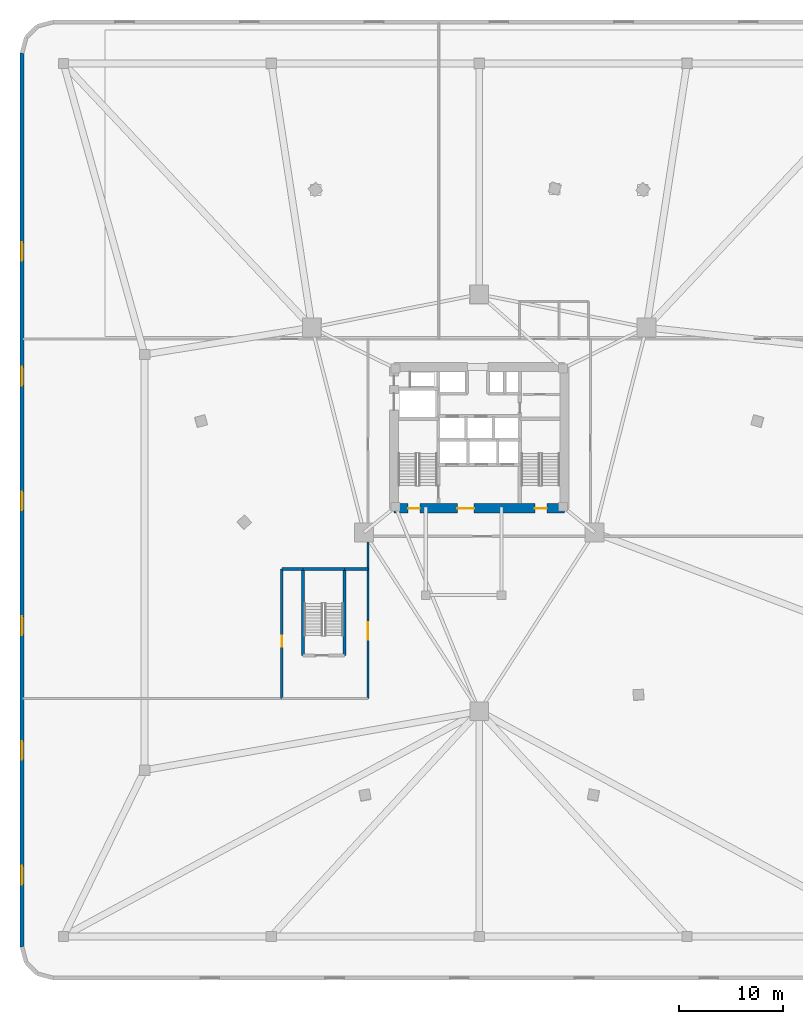
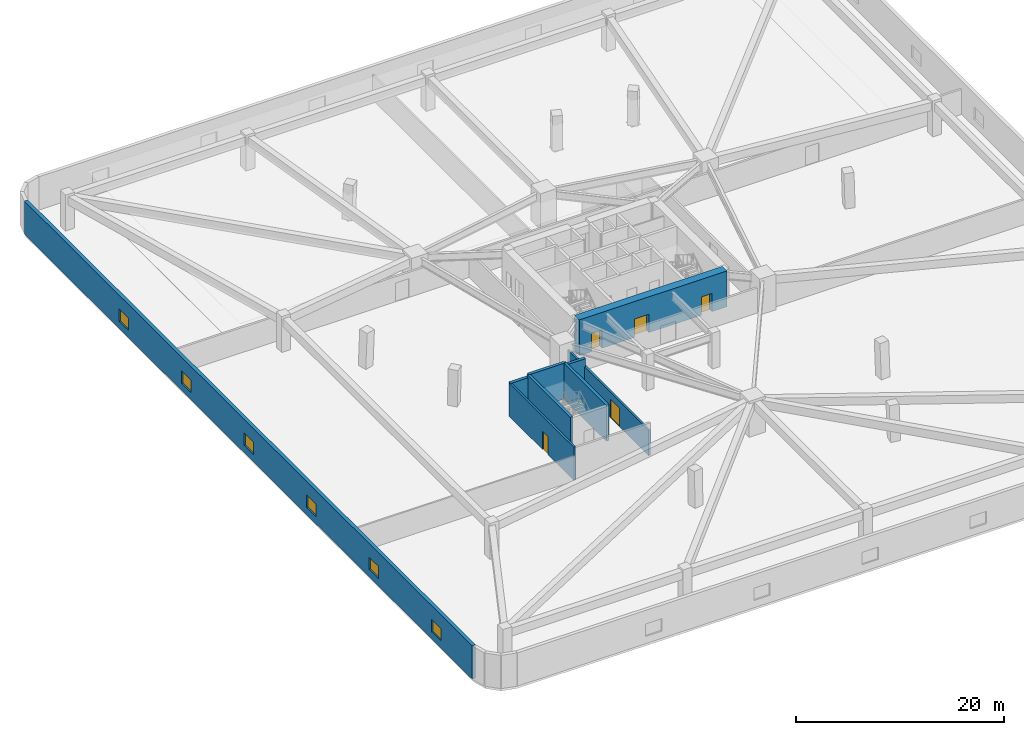
# One storey, part 4 of 10: 9 walls, 6 windows, 5 doors, 11 openings.
"""IFC4 building model written with IfcOpenShell, lengths in metres."""

from ifc_helpers import new_model, si_unit, direction, frame, frame_2d, origin, place, context, subcontext, project, spatial, rectangle, extrude, material, layer, layer_set, type_object, element, fill, save


model = new_model("IFC4")

# Units and contexts
model_context = context("Model", 3, precision=1e-05, world=origin(), true_north=direction((0.0, 1.0)))
body_context = subcontext(model_context, "Body", "Model", "MODEL_VIEW")
ifc_project = project(units=[si_unit("LENGTHUNIT", "METRE"), si_unit("AREAUNIT", "SQUARE_METRE"), si_unit("VOLUMEUNIT", "CUBIC_METRE"), si_unit("PLANEANGLEUNIT", "RADIAN"), si_unit("MASSUNIT", "GRAM", prefix="KILO")], contexts=[model_context])

# Site, building, storey
site_placement = place(None, origin())
site = spatial("IfcSite", under=ifc_project, at=site_placement, CompositionType="ELEMENT")
building_placement = place(site_placement, origin())
building = spatial("IfcBuilding", under=site, at=building_placement, Name="Talyreon Biosciences Tower", CompositionType="ELEMENT")
storey_placement = place(building_placement, frame((0.0, 0.0, 10.199951171875)))
storey = spatial("IfcBuildingStorey", under=building, at=storey_placement, Name="L02", CompositionType="ELEMENT", Elevation=10.199951171875)

# Walls
ifc_material_1 = material(Name="Concrete C50/60", Category="concrete")
ifc_layer_1 = layer(ifc_material_1, 0.320068359375)
ifc_layer_set_1 = layer_set([ifc_layer_1], Name="Concrete C50/60")
wall_type_1 = type_object("IfcWallType", Name="CoreShearWall_320", PredefinedType="SHEAR", material=ifc_layer_set_1)
for number, where, z_axis, x_axis, name in (
    (1, (49.0400390625, 47.0400390625, 0.0), (0.0, 0.0, 1.0), (0.0, 1.0, 0.0), "L02 Stair ST-3 Structural Wall W"),
    (2, (53.0400390625, 47.0400390625, 0.0), (0.0, 0.0, 1.0), (0.0, 1.0, 0.0), "L02 Stair ST-3 Structural Wall E"),
):
    element("IfcWall", number, at=place(storey_placement, frame(where, z_axis=z_axis, x_axis=x_axis)), inside=storey, type_object=wall_type_1, Name=name, PredefinedType="SHEAR", context=body_context, shape_type="SweptSolid", body=[
        extrude(rectangle(XDim=8.320068359375, YDim=0.320068359375, at=frame_2d((4.16015625, 0.0))), origin(), (0.0, 0.0, 1.0), 4.199951171875),
    ])
wall_1_placement = place(storey_placement, frame((49.0400390625, 55.360107421875, 0.0), z_axis=(0.0, 0.0, 1.0), x_axis=(1.0, 0.0, 0.0)))
element("IfcWall", 3, at=wall_1_placement, inside=storey, type_object=wall_type_1, Name="L02 Stair ST-3 Structural Wall N", PredefinedType="SHEAR", context=body_context, shape_type="SweptSolid", body=[
    extrude(rectangle(XDim=4.0, YDim=0.320068359375, at=frame_2d((2.0, 0.0))), origin(), (0.0, 0.0, 1.0), 4.199951171875),
])

# Wall, openings, doors
ifc_material_2 = material(Name="Concrete C60/75", Category="concrete")
ifc_layer_2 = layer(ifc_material_2, 0.89990234375)
ifc_layer_set_2 = layer_set([ifc_layer_2], Name="Concrete C60/75")
wall_type_2 = type_object("IfcWallType", Name="CoreShearWall_900", PredefinedType="SHEAR", material=ifc_layer_set_2)
wall_2_placement = place(storey_placement, frame((57.800048828125, 61.199951171875, 0.0), z_axis=(0.0, 0.0, 1.0), x_axis=(1.0, 0.0, 0.0)))
wall_2 = element("IfcWall", 4, at=wall_2_placement, inside=storey, type_object=wall_type_2, Name="L02 Core Shear Wall S", PredefinedType="SHEAR", context=body_context, shape_type="SweptSolid", body=[
    extrude(rectangle(XDim=16.39990234375, YDim=0.89990234375, at=frame_2d((8.199951171875, 0.0))), origin(), (0.0, 0.0, 1.0), 4.199951171875),
])
opening_1_placement = place(wall_2_placement, frame((1.35009765625, 0.0, 0.0)))
opening_1 = element("IfcOpeningElement", 5, at=opening_1_placement, cuts=wall_2, Name="Opening DR-L02-ST1", PredefinedType="OPENING", context=body_context, shape_type="SweptSolid", body=[
    extrude(rectangle(XDim=1.14990234375, YDim=2.14990234375, at=frame_2d((0.574951171875, 1.074951171875))), frame((0.0, 0.4599609375, 0.0), z_axis=(0.0, -1.0, 0.0), x_axis=(1.0, 0.0, 0.0)), (0.0, 0.0, 1.0), 0.919921875),
])
opening_2_placement = place(wall_2_placement, frame((6.10009765625, 0.0, 0.0)))
opening_2 = element("IfcOpeningElement", 6, at=opening_2_placement, cuts=wall_2, Name="Opening DR-L02-FFL", PredefinedType="OPENING", context=body_context, shape_type="SweptSolid", body=[
    extrude(rectangle(XDim=1.60009765625, YDim=2.14990234375, at=frame_2d((0.800048828125, 1.074951171875))), frame((0.0, 0.4599609375, 0.0), z_axis=(0.0, -1.0, 0.0), x_axis=(1.0, 0.0, 0.0)), (0.0, 0.0, 1.0), 0.919921875),
])
opening_3_placement = place(wall_2_placement, frame((13.550048828125, 0.0, 0.0)))
opening_3 = element("IfcOpeningElement", 7, at=opening_3_placement, cuts=wall_2, Name="Opening DR-L02-ST2", PredefinedType="OPENING", context=body_context, shape_type="SweptSolid", body=[
    extrude(rectangle(XDim=1.14990234375, YDim=2.14990234375, at=frame_2d((0.574951171875, 1.074951171875))), frame((0.0, 0.4599609375, 0.0), z_axis=(0.0, -1.0, 0.0), x_axis=(1.0, 0.0, 0.0)), (0.0, 0.0, 1.0), 0.919921875),
])
ifc_material_3 = material(Name="Painted steel smoke-seal fire door", Category="steel")
door_type_1 = type_object("IfcDoorType", Name="FirefightingLobbyDoubleDoor_1600x2150", OperationType="DOUBLE_DOOR_SINGLE_SWING", PredefinedType="DOOR", material=ifc_material_3)
door_1_placement = place(opening_2_placement, origin())
door_1 = element("IfcDoor", 8, at=door_1_placement, inside=storey, type_object=door_type_1, Name="L02 Core Door DR-L02-FFL", OperationType="DOUBLE_DOOR_SINGLE_SWING", OverallHeight=2.14990234375, OverallWidth=1.60009765625, PredefinedType="DOOR", context=body_context, shape_type="SweptSolid", body=[
    extrude(rectangle(XDim=1.60009765625, YDim=2.14990234375, at=frame_2d((0.800048828125, 1.074951171875))), frame((0.0, 0.02490234375, 0.0), z_axis=(0.0, -1.0, 0.0), x_axis=(1.0, 0.0, 0.0)), (0.0, 0.0, 1.0), 0.050048828125),
])
fill(opening_2, door_1)
ifc_material_4 = material(Name="Painted steel fire door", Category="steel")
door_type_2 = type_object("IfcDoorType", Name="StairShaftFireDoor_1150x2150", OperationType="NOTDEFINED", PredefinedType="DOOR", material=ifc_material_4)
door_2_placement = place(opening_1_placement, origin())
door_2 = element("IfcDoor", 9, at=door_2_placement, inside=storey, type_object=door_type_2, Name="L02 Core Door DR-L02-ST1", OperationType="SINGLE_SWING_LEFT", OverallHeight=2.14990234375, OverallWidth=1.14990234375, PredefinedType="DOOR", context=body_context, shape_type="SweptSolid", body=[
    extrude(rectangle(XDim=1.14990234375, YDim=2.14990234375, at=frame_2d((0.574951171875, 1.074951171875))), frame((0.0, 0.02490234375, 0.0), z_axis=(0.0, -1.0, 0.0), x_axis=(1.0, 0.0, 0.0)), (0.0, 0.0, 1.0), 0.050048828125),
])
fill(opening_1, door_2)
door_3_placement = place(opening_3_placement, origin())
door_3 = element("IfcDoor", 10, at=door_3_placement, inside=storey, type_object=door_type_2, Name="L02 Core Door DR-L02-ST2", OperationType="SINGLE_SWING_RIGHT", OverallHeight=2.14990234375, OverallWidth=1.14990234375, PredefinedType="DOOR", context=body_context, shape_type="SweptSolid", body=[
    extrude(rectangle(XDim=1.14990234375, YDim=2.14990234375, at=frame_2d((0.574951171875, 1.074951171875))), frame((0.0, 0.02490234375, 0.0), z_axis=(0.0, -1.0, 0.0), x_axis=(1.0, 0.0, 0.0)), (0.0, 0.0, 1.0), 0.050048828125),
])
fill(opening_3, door_3)

# Wall, opening, door
ifc_material_5 = material(Name="Gypsum fireboard acoustic stud", Category="gypsum")
ifc_layer_3 = layer(ifc_material_5, 0.219970703125)
ifc_layer_set_3 = layer_set([ifc_layer_3], Name="Gypsum fireboard acoustic stud")
wall_type_3 = type_object("IfcWallType", Name="CorridorRatedPartition_220", PredefinedType="PARTITIONING", material=ifc_layer_set_3)
wall_3_placement = place(storey_placement, frame((47.0, 42.89990234375, 0.0), z_axis=(0.0, 0.0, 1.0), x_axis=(0.0, 1.0, 0.0)))
wall_3 = element("IfcWall", 11, at=wall_3_placement, inside=storey, type_object=wall_type_3, Name="L02 Interior Wall IW-L02-SCORW", PredefinedType="PARTITIONING", context=body_context, shape_type="SweptSolid", body=[
    extrude(rectangle(XDim=12.460205078125, YDim=0.219970703125, at=frame_2d((6.22998046875, 0.0))), origin(), (0.0, 0.0, 1.0), 3.900146484375),
])
opening_4_placement = place(wall_3_placement, frame((4.97509765625, 0.0, 0.0)))
opening_4 = element("IfcOpeningElement", 12, at=opening_4_placement, cuts=wall_3, Name="Opening DR-L02-WW-S", PredefinedType="OPENING", context=body_context, shape_type="SweptSolid", body=[
    extrude(rectangle(XDim=1.050048828125, YDim=2.14990234375, at=frame_2d((0.52490234375, 1.074951171875))), frame((0.0, 0.119873046875, 0.0), z_axis=(0.0, -1.0, 0.0), x_axis=(1.0, 0.0, 0.0)), (0.0, 0.0, 1.0), 0.239990234375),
])
ifc_material_6 = material(Name="Acoustic timber-core laboratory door", Category="wood")
door_type_3 = type_object("IfcDoorType", Name="DryLabSingleDoor_1050x2150", OperationType="NOTDEFINED", PredefinedType="DOOR", material=ifc_material_6)
door_4_placement = place(opening_4_placement, origin())
door_4 = element("IfcDoor", 13, at=door_4_placement, inside=storey, type_object=door_type_3, Name="L02 Interior Door DR-L02-WW-S", OperationType="SINGLE_SWING_LEFT", OverallHeight=2.14990234375, OverallWidth=1.050048828125, PredefinedType="DOOR", context=body_context, shape_type="SweptSolid", body=[
    extrude(rectangle(XDim=1.050048828125, YDim=2.14990234375, at=frame_2d((0.52490234375, 1.074951171875))), frame((0.0, 0.02490234375, 0.0), z_axis=(0.0, -1.0, 0.0), x_axis=(1.0, 0.0, 0.0)), (0.0, 0.0, 1.0), 0.050048828125),
])
fill(opening_4, door_4)

wall_4_placement = place(storey_placement, frame((55.300048828125, 42.89990234375, 0.0), z_axis=(0.0, 0.0, 1.0), x_axis=(0.0, 1.0, 0.0)))
wall_4 = element("IfcWall", 14, at=wall_4_placement, inside=storey, type_object=wall_type_3, Name="L02 Interior Wall IW-L02-SCOR", PredefinedType="PARTITIONING", context=body_context, shape_type="SweptSolid", body=[
    extrude(rectangle(XDim=15.60009765625, YDim=0.219970703125, at=frame_2d((7.800048828125, 0.0))), origin(), (0.0, 0.0, 1.0), 2.97998046875),
])
opening_5_placement = place(wall_4_placement, frame((5.64990234375, 0.0, 0.0)))
opening_5 = element("IfcOpeningElement", 15, at=opening_5_placement, cuts=wall_4, Name="Opening DR-L02-SW2", PredefinedType="OPENING", context=body_context, shape_type="SweptSolid", body=[
    extrude(rectangle(XDim=1.699951171875, YDim=2.199951171875, at=frame_2d((0.85009765625, 1.10009765625))), frame((0.0, 0.119873046875, 0.0), z_axis=(0.0, -1.0, 0.0), x_axis=(1.0, 0.0, 0.0)), (0.0, 0.0, 1.0), 0.239990234375),
])
ifc_material_7 = material(Name="Acoustic oak seminar double door", Category="wood")
door_type_4 = type_object("IfcDoorType", Name="MeetingSeminarDoubleDoor_1700x2200", OperationType="DOUBLE_DOOR_SINGLE_SWING", PredefinedType="DOOR", material=ifc_material_7)
door_5_placement = place(opening_5_placement, origin())
door_5 = element("IfcDoor", 16, at=door_5_placement, inside=storey, type_object=door_type_4, Name="L02 Interior Door DR-L02-SW2", OperationType="DOUBLE_DOOR_SINGLE_SWING", OverallHeight=2.199951171875, OverallWidth=1.699951171875, PredefinedType="DOOR", context=body_context, shape_type="SweptSolid", body=[
    extrude(rectangle(XDim=1.699951171875, YDim=2.199951171875, at=frame_2d((0.85009765625, 1.10009765625))), frame((0.0, 0.02490234375, 0.0), z_axis=(0.0, -1.0, 0.0), x_axis=(1.0, 0.0, 0.0)), (0.0, 0.0, 1.0), 0.050048828125),
])
fill(opening_5, door_5)

# Wall, openings, windows
ifc_material_8 = material(Name="Precast concrete C45/55", Category="concrete")
ifc_layer_4 = layer(ifc_material_8, 0.3798828125)
ifc_layer_set_4 = layer_set([ifc_layer_4], Name="Precast concrete C45/55")
wall_type_4 = type_object("IfcWallType", Name="PrecastConcretePodiumWall_380", PredefinedType="STANDARD", material=ifc_layer_set_4)
wall_5_placement = place(storey_placement, frame((22.0, 19.0, 0.0), z_axis=(0.0, 0.0, 1.0), x_axis=(0.0, 1.0, 0.0)))
wall_5 = element("IfcWall", 17, at=wall_5_placement, inside=storey, type_object=wall_type_4, Name="L02 Podium Concrete Frame Wall 05", PredefinedType="STANDARD", context=body_context, shape_type="SweptSolid", body=[
    extrude(rectangle(XDim=86.0, YDim=0.3798828125, at=frame_2d((43.0, 0.0))), origin(), (0.0, 0.0, 1.0), 3.900146484375),
])
opening_6_placement = place(wall_5_placement, frame((6.0, 0.0, 0.85009765625)))
opening_6 = element("IfcOpeningElement", 18, at=opening_6_placement, cuts=wall_5, Name="Opening W02", PredefinedType="OPENING", context=body_context, shape_type="SweptSolid", body=[
    extrude(rectangle(XDim=1.800048828125, YDim=1.449951171875, at=frame_2d((0.89990234375, 0.72509765625))), frame((0.0, 0.199951171875, 0.0), z_axis=(0.0, -1.0, 0.0), x_axis=(1.0, 0.0, 0.0)), (0.0, 0.0, 1.0), 0.39990234375),
])
opening_7_placement = place(wall_5_placement, frame((18.0, 0.0, 0.85009765625)))
opening_7 = element("IfcOpeningElement", 19, at=opening_7_placement, cuts=wall_5, Name="Opening W02", PredefinedType="OPENING", context=body_context, shape_type="SweptSolid", body=[
    extrude(rectangle(XDim=1.800048828125, YDim=1.449951171875, at=frame_2d((0.89990234375, 0.72509765625))), frame((0.0, 0.199951171875, 0.0), z_axis=(0.0, -1.0, 0.0), x_axis=(1.0, 0.0, 0.0)), (0.0, 0.0, 1.0), 0.39990234375),
])
opening_8_placement = place(wall_5_placement, frame((30.0, 0.0, 0.85009765625)))
opening_8 = element("IfcOpeningElement", 20, at=opening_8_placement, cuts=wall_5, Name="Opening W02", PredefinedType="OPENING", context=body_context, shape_type="SweptSolid", body=[
    extrude(rectangle(XDim=1.800048828125, YDim=1.449951171875, at=frame_2d((0.89990234375, 0.72509765625))), frame((0.0, 0.199951171875, 0.0), z_axis=(0.0, -1.0, 0.0), x_axis=(1.0, 0.0, 0.0)), (0.0, 0.0, 1.0), 0.39990234375),
])
opening_9_placement = place(wall_5_placement, frame((42.0, 0.0, 0.85009765625)))
opening_9 = element("IfcOpeningElement", 21, at=opening_9_placement, cuts=wall_5, Name="Opening W02", PredefinedType="OPENING", context=body_context, shape_type="SweptSolid", body=[
    extrude(rectangle(XDim=1.800048828125, YDim=1.449951171875, at=frame_2d((0.89990234375, 0.72509765625))), frame((0.0, 0.199951171875, 0.0), z_axis=(0.0, -1.0, 0.0), x_axis=(1.0, 0.0, 0.0)), (0.0, 0.0, 1.0), 0.39990234375),
])
opening_10_placement = place(wall_5_placement, frame((54.0, 0.0, 0.85009765625)))
opening_10 = element("IfcOpeningElement", 22, at=opening_10_placement, cuts=wall_5, Name="Opening W02", PredefinedType="OPENING", context=body_context, shape_type="SweptSolid", body=[
    extrude(rectangle(XDim=1.800048828125, YDim=1.449951171875, at=frame_2d((0.89990234375, 0.72509765625))), frame((0.0, 0.199951171875, 0.0), z_axis=(0.0, -1.0, 0.0), x_axis=(1.0, 0.0, 0.0)), (0.0, 0.0, 1.0), 0.39990234375),
])
opening_11_placement = place(wall_5_placement, frame((66.0, 0.0, 0.85009765625)))
opening_11 = element("IfcOpeningElement", 23, at=opening_11_placement, cuts=wall_5, Name="Opening W02", PredefinedType="OPENING", context=body_context, shape_type="SweptSolid", body=[
    extrude(rectangle(XDim=1.800048828125, YDim=1.449951171875, at=frame_2d((0.89990234375, 0.72509765625))), frame((0.0, 0.199951171875, 0.0), z_axis=(0.0, -1.0, 0.0), x_axis=(1.0, 0.0, 0.0)), (0.0, 0.0, 1.0), 0.39990234375),
])
ifc_material_9 = material(Name="Thermally broken triple low-E aluminium window", Category="aluminium")
window_type = type_object("IfcWindowType", Name="PodiumPunchedWindow_1800x1450", PartitioningType="DOUBLE_PANEL_VERTICAL", PredefinedType="WINDOW", material=ifc_material_9)
window_1_placement = place(opening_6_placement, origin())
window_1 = element("IfcWindow", 24, at=window_1_placement, inside=storey, type_object=window_type, Name="L02 Podium Facade Window 05.01", OverallHeight=1.449951171875, OverallWidth=1.800048828125, PartitioningType="SINGLE_PANEL", PredefinedType="WINDOW", context=body_context, shape_type="SweptSolid", body=[
    extrude(rectangle(XDim=1.800048828125, YDim=1.449951171875, at=frame_2d((0.89990234375, 0.72509765625))), frame((0.0, 0.030029296875, 0.0), z_axis=(0.0, -1.0, 0.0), x_axis=(1.0, 0.0, 0.0)), (0.0, 0.0, 1.0), 0.06005859375),
])
fill(opening_6, window_1)
window_2_placement = place(opening_7_placement, origin())
window_2 = element("IfcWindow", 25, at=window_2_placement, inside=storey, type_object=window_type, Name="L02 Podium Facade Window 05.02", OverallHeight=1.449951171875, OverallWidth=1.800048828125, PartitioningType="SINGLE_PANEL", PredefinedType="WINDOW", context=body_context, shape_type="SweptSolid", body=[
    extrude(rectangle(XDim=1.800048828125, YDim=1.449951171875, at=frame_2d((0.89990234375, 0.72509765625))), frame((0.0, 0.030029296875, 0.0), z_axis=(0.0, -1.0, 0.0), x_axis=(1.0, 0.0, 0.0)), (0.0, 0.0, 1.0), 0.06005859375),
])
fill(opening_7, window_2)
window_3_placement = place(opening_8_placement, origin())
window_3 = element("IfcWindow", 26, at=window_3_placement, inside=storey, type_object=window_type, Name="L02 Podium Facade Window 05.03", OverallHeight=1.449951171875, OverallWidth=1.800048828125, PartitioningType="SINGLE_PANEL", PredefinedType="WINDOW", context=body_context, shape_type="SweptSolid", body=[
    extrude(rectangle(XDim=1.800048828125, YDim=1.449951171875, at=frame_2d((0.89990234375, 0.72509765625))), frame((0.0, 0.030029296875, 0.0), z_axis=(0.0, -1.0, 0.0), x_axis=(1.0, 0.0, 0.0)), (0.0, 0.0, 1.0), 0.06005859375),
])
fill(opening_8, window_3)
window_4_placement = place(opening_9_placement, origin())
window_4 = element("IfcWindow", 27, at=window_4_placement, inside=storey, type_object=window_type, Name="L02 Podium Facade Window 05.04", OverallHeight=1.449951171875, OverallWidth=1.800048828125, PartitioningType="SINGLE_PANEL", PredefinedType="WINDOW", context=body_context, shape_type="SweptSolid", body=[
    extrude(rectangle(XDim=1.800048828125, YDim=1.449951171875, at=frame_2d((0.89990234375, 0.72509765625))), frame((0.0, 0.030029296875, 0.0), z_axis=(0.0, -1.0, 0.0), x_axis=(1.0, 0.0, 0.0)), (0.0, 0.0, 1.0), 0.06005859375),
])
fill(opening_9, window_4)
window_5_placement = place(opening_10_placement, origin())
window_5 = element("IfcWindow", 28, at=window_5_placement, inside=storey, type_object=window_type, Name="L02 Podium Facade Window 05.05", OverallHeight=1.449951171875, OverallWidth=1.800048828125, PartitioningType="SINGLE_PANEL", PredefinedType="WINDOW", context=body_context, shape_type="SweptSolid", body=[
    extrude(rectangle(XDim=1.800048828125, YDim=1.449951171875, at=frame_2d((0.89990234375, 0.72509765625))), frame((0.0, 0.030029296875, 0.0), z_axis=(0.0, -1.0, 0.0), x_axis=(1.0, 0.0, 0.0)), (0.0, 0.0, 1.0), 0.06005859375),
])
fill(opening_10, window_5)
window_6_placement = place(opening_11_placement, origin())
window_6 = element("IfcWindow", 29, at=window_6_placement, inside=storey, type_object=window_type, Name="L02 Podium Facade Window 05.06", OverallHeight=1.449951171875, OverallWidth=1.800048828125, PartitioningType="SINGLE_PANEL", PredefinedType="WINDOW", context=body_context, shape_type="SweptSolid", body=[
    extrude(rectangle(XDim=1.800048828125, YDim=1.449951171875, at=frame_2d((0.89990234375, 0.72509765625))), frame((0.0, 0.030029296875, 0.0), z_axis=(0.0, -1.0, 0.0), x_axis=(1.0, 0.0, 0.0)), (0.0, 0.0, 1.0), 0.06005859375),
])
fill(opening_11, window_6)

# Walls
ifc_material_10 = material(Name="Concrete C40/50", Category="concrete")
ifc_layer_5 = layer(ifc_material_10, 0.320068359375)
ifc_layer_set_5 = layer_set([ifc_layer_5], Name="Concrete C40/50")
wall_type_5 = type_object("IfcWallType", Name="ShaftCompartmentWall_320", PredefinedType="STANDARD", material=ifc_layer_set_5)
wall_6_placement = place(storey_placement, frame((47.0, 55.360107421875, 0.0), z_axis=(0.0, 0.0, 1.0), x_axis=(1.0, 0.0, 0.0)))
element("IfcWall", 30, at=wall_6_placement, inside=storey, type_object=wall_type_5, Name="L02 Interior Wall IW-L02-ST3L", PredefinedType="STANDARD", context=body_context, shape_type="SweptSolid", body=[
    extrude(rectangle(XDim=2.0400390625, YDim=0.320068359375, at=frame_2d((1.02001953125, 0.0))), origin(), (0.0, 0.0, 1.0), 3.900146484375),
])
wall_7_placement = place(storey_placement, frame((53.0400390625, 55.360107421875, 0.0), z_axis=(0.0, 0.0, 1.0), x_axis=(1.0, 0.0, 0.0)))
element("IfcWall", 31, at=wall_7_placement, inside=storey, type_object=wall_type_5, Name="L02 Interior Wall IW-L02-ST3R", PredefinedType="STANDARD", context=body_context, shape_type="SweptSolid", body=[
    extrude(rectangle(XDim=2.260009765625, YDim=0.320068359375, at=frame_2d((1.1298828125, 0.0))), origin(), (0.0, 0.0, 1.0), 3.900146484375),
])

save(model, "model.ifc")
